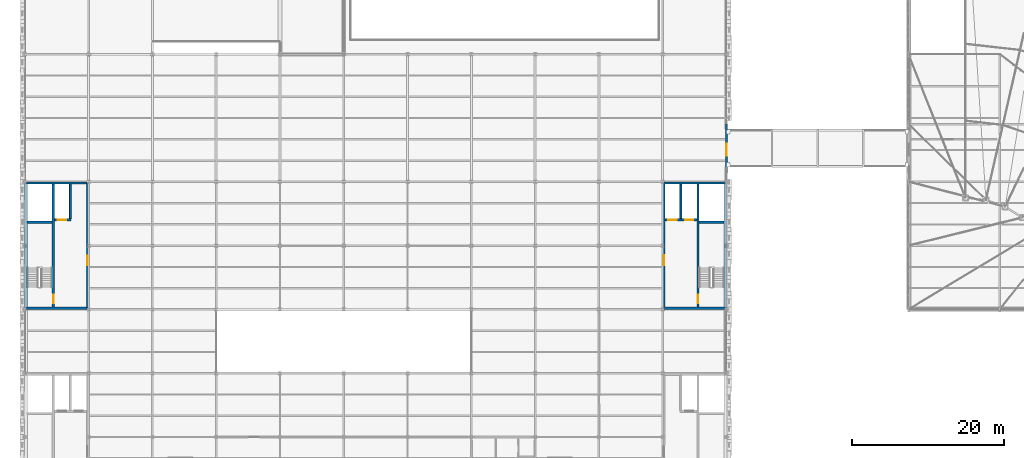
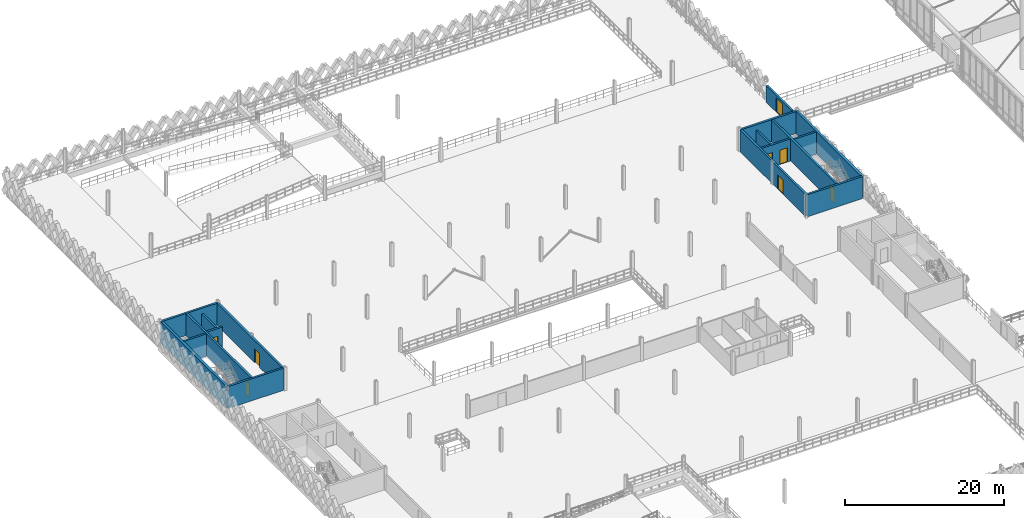
# One storey, part 87 of 101: 17 walls, 8 doors, 8 openings.
"""IFC4 building model written with IfcOpenShell, lengths in metres."""

from ifc_helpers import new_model, si_unit, direction, frame, frame_2d, origin, place, context, subcontext, project, spatial, rectangle, extrude, material, layer, layer_set, type_object, element, fill, save


model = new_model("IFC4")

# Units and contexts
model_context = context("Model", 3, precision=1e-05, world=origin(), true_north=direction((0.0, 1.0)))
body_context = subcontext(model_context, "Body", "Model", "MODEL_VIEW")
ifc_project = project(units=[si_unit("LENGTHUNIT", "METRE"), si_unit("AREAUNIT", "SQUARE_METRE"), si_unit("VOLUMEUNIT", "CUBIC_METRE"), si_unit("PLANEANGLEUNIT", "RADIAN"), si_unit("MASSUNIT", "GRAM", prefix="KILO"), si_unit("THERMODYNAMICTEMPERATUREUNIT", "KELVIN"), si_unit("POWERUNIT", "WATT")], contexts=[model_context])

# Site, building, storey
site_placement = place(None, origin())
site = spatial("IfcSite", under=ifc_project, at=site_placement, CompositionType="ELEMENT")
building_placement = place(site_placement, origin())
building = spatial("IfcBuilding", under=site, at=building_placement, Name="Tembeka Court Mobility Hub", CompositionType="ELEMENT")
storey_placement = place(building_placement, frame((0.0, 0.0, 5.39990234375)))
storey = spatial("IfcBuildingStorey", under=building, at=storey_placement, Name="L01", CompositionType="ELEMENT", Elevation=5.39990234375)

# Wall, opening, door
ifc_material_1 = material(Name="Precast concrete C45/55", Category="concrete")
ifc_layer_1 = layer(ifc_material_1, 0.280029296875)
ifc_layer_set_1 = layer_set([ifc_layer_1], Name="Precast concrete C45/55")
wall_type_1 = type_object("IfcWallType", Name="WL-EW02", PredefinedType="STANDARD", material=ifc_layer_set_1)
wall_1_placement = place(storey_placement, frame((92.39990234375, 81.60009765625, 0.0), z_axis=(0.0, 0.0, 1.0), x_axis=(0.0, 1.0, 0.0)))
wall_1 = element("IfcWall", 1, at=wall_1_placement, inside=storey, type_object=wall_type_1, Name="External wall EW02 (EW-L01-0083)", PredefinedType="STANDARD", context=body_context, shape_type="SweptSolid", body=[
    extrude(rectangle(XDim=6.39990234375, YDim=0.280029296875, at=frame_2d((3.199951171875, 0.0))), origin(), (0.0, 0.0, 1.0), 2.53515625),
])
opening_1_placement = place(wall_1_placement, frame((2.25, 0.0, 0.0)))
opening_1 = element("IfcOpeningElement", 2, at=opening_1_placement, cuts=wall_1, Name="Opening ED01", PredefinedType="OPENING", context=body_context, shape_type="SweptSolid", body=[
    extrude(rectangle(XDim=1.60009765625, YDim=2.199951171875, at=frame_2d((0.800048828125, 1.10009765625))), frame((0.0, 0.14990234375, 0.0), z_axis=(0.0, -1.0, 0.0), x_axis=(1.0, 0.0, 0.0)), (0.0, 0.0, 1.0), 0.300048828125),
])
ifc_material_2 = material(Name="Powder-coated aluminium glazed doorset", Category="aluminium")
door_type_1 = type_object("IfcDoorType", Name="DR-ED01", OperationType="NOTDEFINED", PredefinedType="DOOR", material=ifc_material_2)
door_1_placement = place(opening_1_placement, frame((1.60009765625, 0.0, 0.0), z_axis=(0.0, 0.0, 1.0), x_axis=(-1.0, 0.0, 0.0)))
door_1 = element("IfcDoor", 3, at=door_1_placement, inside=storey, type_object=door_type_1, Name="Bridge 2 West portal door ED01", OperationType="DOUBLE_DOOR_SINGLE_SWING", OverallHeight=2.199951171875, OverallWidth=1.60009765625, PredefinedType="DOOR", context=body_context, shape_type="SweptSolid", body=[
    extrude(rectangle(XDim=1.60009765625, YDim=2.199951171875, at=frame_2d((0.800048828125, 1.10009765625))), frame((0.0, 0.02490234375, 0.0), z_axis=(0.0, -1.0, 0.0), x_axis=(1.0, 0.0, 0.0)), (0.0, 0.0, 1.0), 0.050048828125),
])
fill(opening_1, door_1)

# Walls
ifc_material_3 = material(Name="Concrete C40/50", Category="concrete")
ifc_layer_2 = layer(ifc_material_3, 0.25)
ifc_layer_set_2 = layer_set([ifc_layer_2], Name="Concrete C40/50")
wall_type_2 = type_object("IfcWallType", Name="WL-IW01", PredefinedType="PARTITIONING", material=ifc_layer_set_2)
for number, where, z_axis, x_axis, name in (
    (4, (86.39990234375, 75.550048828125, 0.0), (0.0, 0.0, 1.0), (0.0, 1.0, 0.0), "Wall IW01 (IW-L01-0088)"),
    (5, (6.0, 75.550048828125, 0.0), (0.0, 0.0, 1.0), (0.0, 1.0, 0.0), "Wall IW01 (IW-L01-0152)"),
):
    element("IfcWall", number, at=place(storey_placement, frame(where, z_axis=z_axis, x_axis=x_axis)), inside=storey, type_object=wall_type_2, Name=name, PredefinedType="PARTITIONING", context=body_context, shape_type="SweptSolid", body=[
        extrude(rectangle(XDim=4.550048828125, YDim=0.25, at=frame_2d((2.27490234375, 0.0))), origin(), (0.0, 0.0, 1.0), 2.525146484375),
    ])
ifc_layer_3 = layer(ifc_material_3, 0.300048828125)
ifc_layer_set_3 = layer_set([ifc_layer_3], Name="Concrete C40/50")
wall_type_3 = type_object("IfcWallType", Name="WL-SW01", PredefinedType="SHEAR", material=ifc_layer_set_3)
for number, where, z_axis, x_axis, name in (
    (6, (84.195556640625, 63.75, 0.0), (0.0, 0.0, 1.0), (1.0, 0.0, 0.0), "Wall SW01 (IW-L01-0081)"),
    (7, (84.195556640625, 80.25, 0.0), (0.0, 0.0, 1.0), (1.0, 0.0, 0.0), "Wall SW01 (IW-L01-0082)"),
):
    element("IfcWall", number, at=place(storey_placement, frame(where, z_axis=z_axis, x_axis=x_axis)), inside=storey, type_object=wall_type_3, Name=name, PredefinedType="SHEAR", context=body_context, shape_type="SweptSolid", body=[
        extrude(rectangle(XDim=8.009033203125, YDim=0.300048828125, at=frame_2d((4.00439453125, 0.0))), origin(), (0.0, 0.0, 1.0), 3.380126953125),
    ])
wall_2_placement = place(storey_placement, frame((88.800048828125, 75.10009765625, 0.0), z_axis=(0.0, 0.0, 1.0), x_axis=(1.0, 0.0, 0.0)))
element("IfcWall", 8, at=wall_2_placement, inside=storey, type_object=wall_type_3, Name="Wall SW01 (IW-L01-0083)", PredefinedType="SHEAR", context=body_context, shape_type="SweptSolid", body=[
    extrude(rectangle(XDim=3.300048828125, YDim=0.300048828125, at=frame_2d((1.64990234375, 0.0))), origin(), (0.0, 0.0, 1.0), 3.380126953125),
])

# Wall, opening, door
wall_3_placement = place(storey_placement, frame((84.14990234375, 63.78857421875, 0.0), z_axis=(0.0, 0.0, 1.0), x_axis=(0.0, 1.0, 0.0)))
wall_3 = element("IfcWall", 9, at=wall_3_placement, inside=storey, type_object=wall_type_3, Name="Wall SW01 (IW-L01-0085)", PredefinedType="SHEAR", context=body_context, shape_type="SweptSolid", body=[
    extrude(rectangle(XDim=16.4228515625, YDim=0.300048828125, at=frame_2d((8.21142578125, 0.0))), origin(), (0.0, 0.0, 1.0), 3.380126953125),
])
opening_2_placement = place(wall_3_placement, frame((5.66162109375, 0.0, 0.0)))
opening_2 = element("IfcOpeningElement", 10, at=opening_2_placement, cuts=wall_3, Name="Opening FD02", PredefinedType="OPENING", context=body_context, shape_type="SweptSolid", body=[
    extrude(rectangle(XDim=1.300048828125, YDim=2.199951171875, at=frame_2d((0.64990234375, 1.10009765625))), frame((0.0, 0.16015625, 0.0), z_axis=(0.0, -1.0, 0.0), x_axis=(1.0, 0.0, 0.0)), (0.0, 0.0, 1.0), 0.320068359375),
])
ifc_material_4 = material(Name="Galvanised steel fire/shutter doorset", Category="steel")
door_type_2 = type_object("IfcDoorType", Name="DR-FD02", OperationType="NOTDEFINED", PredefinedType="DOOR", material=ifc_material_4)
door_2_placement = place(opening_2_placement, origin())
door_2 = element("IfcDoor", 11, at=door_2_placement, inside=storey, type_object=door_type_2, Name="Door FD02-0043", OperationType="SINGLE_SWING_RIGHT", OverallHeight=2.199951171875, OverallWidth=1.300048828125, PredefinedType="DOOR", context=body_context, shape_type="SweptSolid", body=[
    extrude(rectangle(XDim=1.300048828125, YDim=2.199951171875, at=frame_2d((0.64990234375, 1.10009765625))), frame((0.0, 0.02490234375, 0.0), z_axis=(0.0, -1.0, 0.0), x_axis=(1.0, 0.0, 0.0)), (0.0, 0.0, 1.0), 0.050048828125),
])
fill(opening_2, door_2)

wall_4_placement = place(storey_placement, frame((88.64990234375, 63.89990234375, 0.0), z_axis=(0.0, 0.0, 1.0), x_axis=(0.0, 1.0, 0.0)))
wall_4 = element("IfcWall", 12, at=wall_4_placement, inside=storey, type_object=wall_type_3, Name="Wall SW01 (IW-L01-0086)", PredefinedType="SHEAR", context=body_context, shape_type="SweptSolid", body=[
    extrude(rectangle(XDim=16.2001953125, YDim=0.300048828125, at=frame_2d((8.10009765625, 0.0))), origin(), (0.0, 0.0, 1.0), 3.380126953125),
])
opening_3_placement = place(wall_4_placement, frame((0.5, 0.0, 0.0)))
opening_3 = element("IfcOpeningElement", 13, at=opening_3_placement, cuts=wall_4, Name="Opening FD03", PredefinedType="OPENING", context=body_context, shape_type="SweptSolid", body=[
    extrude(rectangle(XDim=1.14990234375, YDim=2.14990234375, at=frame_2d((0.574951171875, 1.074951171875))), frame((0.0, 0.16015625, 0.0), z_axis=(0.0, -1.0, 0.0), x_axis=(1.0, 0.0, 0.0)), (0.0, 0.0, 1.0), 0.320068359375),
])
door_type_3 = type_object("IfcDoorType", Name="DR-FD03", OperationType="NOTDEFINED", PredefinedType="DOOR", material=ifc_material_4)
door_3_placement = place(opening_3_placement, origin())
door_3 = element("IfcDoor", 14, at=door_3_placement, inside=storey, type_object=door_type_3, Name="Door FD03-0044", OperationType="SINGLE_SWING_RIGHT", OverallHeight=2.14990234375, OverallWidth=1.14990234375, PredefinedType="DOOR", context=body_context, shape_type="SweptSolid", body=[
    extrude(rectangle(XDim=1.14990234375, YDim=2.14990234375, at=frame_2d((0.574951171875, 1.074951171875))), frame((0.0, 0.02490234375, 0.0), z_axis=(0.0, -1.0, 0.0), x_axis=(1.0, 0.0, 0.0)), (0.0, 0.0, 1.0), 0.050048828125),
])
fill(opening_3, door_3)

# Wall, openings, doors
wall_5_placement = place(storey_placement, frame((84.300048828125, 75.39990234375, 0.0), z_axis=(0.0, 0.0, 1.0), x_axis=(1.0, 0.0, 0.0)))
wall_5 = element("IfcWall", 15, at=wall_5_placement, inside=storey, type_object=wall_type_3, Name="Wall SW01 (IW-L01-0087)", PredefinedType="SHEAR", context=body_context, shape_type="SweptSolid", body=[
    extrude(rectangle(XDim=4.199951171875, YDim=0.300048828125, at=frame_2d((2.10009765625, 0.0))), origin(), (0.0, 0.0, 1.0), 3.380126953125),
])
opening_4_placement = place(wall_5_placement, frame((0.449951171875, 0.0, 0.0)))
opening_4 = element("IfcOpeningElement", 16, at=opening_4_placement, cuts=wall_5, Name="Opening LD01", PredefinedType="OPENING", context=body_context, shape_type="SweptSolid", body=[
    extrude(rectangle(XDim=1.10009765625, YDim=2.199951171875, at=frame_2d((0.550048828125, 1.10009765625))), frame((0.0, 0.16015625, 0.0), z_axis=(0.0, -1.0, 0.0), x_axis=(1.0, 0.0, 0.0)), (0.0, 0.0, 1.0), 0.320068359375),
])
opening_5_placement = place(wall_5_placement, frame((2.64990234375, 0.0, 0.0)))
opening_5 = element("IfcOpeningElement", 17, at=opening_5_placement, cuts=wall_5, Name="Opening LD01", PredefinedType="OPENING", context=body_context, shape_type="SweptSolid", body=[
    extrude(rectangle(XDim=1.10009765625, YDim=2.199951171875, at=frame_2d((0.550048828125, 1.10009765625))), frame((0.0, 0.16015625, 0.0), z_axis=(0.0, -1.0, 0.0), x_axis=(1.0, 0.0, 0.0)), (0.0, 0.0, 1.0), 0.320068359375),
])
door_type_4 = type_object("IfcDoorType", Name="DR-LD01", OperationType="SLIDING_TO_LEFT", PredefinedType="DOOR", material=ifc_material_4)
door_4_placement = place(opening_4_placement, origin())
door_4 = element("IfcDoor", 18, at=door_4_placement, inside=storey, type_object=door_type_4, Name="Lift LF02 landing door L01", OperationType="SLIDING_TO_LEFT", OverallHeight=2.199951171875, OverallWidth=1.10009765625, PredefinedType="DOOR", context=body_context, shape_type="SweptSolid", body=[
    extrude(rectangle(XDim=1.10009765625, YDim=2.199951171875, at=frame_2d((0.550048828125, 1.10009765625))), frame((0.0, 0.02490234375, 0.0), z_axis=(0.0, -1.0, 0.0), x_axis=(1.0, 0.0, 0.0)), (0.0, 0.0, 1.0), 0.050048828125),
])
fill(opening_4, door_4)
door_5_placement = place(opening_5_placement, origin())
door_5 = element("IfcDoor", 19, at=door_5_placement, inside=storey, type_object=door_type_4, Name="Lift LF04 landing door L01", OperationType="SLIDING_TO_LEFT", OverallHeight=2.199951171875, OverallWidth=1.10009765625, PredefinedType="DOOR", context=body_context, shape_type="SweptSolid", body=[
    extrude(rectangle(XDim=1.10009765625, YDim=2.199951171875, at=frame_2d((0.550048828125, 1.10009765625))), frame((0.0, 0.02490234375, 0.0), z_axis=(0.0, -1.0, 0.0), x_axis=(1.0, 0.0, 0.0)), (0.0, 0.0, 1.0), 0.050048828125),
])
fill(opening_5, door_5)

# Walls
for number, where, z_axis, x_axis, name in (
    (20, (0.1845703125, 63.75, 0.0), (0.0, 0.0, 1.0), (1.0, 0.0, 0.0), "Wall SW01 (IW-L01-0145)"),
    (21, (0.1845703125, 80.25, 0.0), (0.0, 0.0, 1.0), (1.0, 0.0, 0.0), "Wall SW01 (IW-L01-0146)"),
):
    element("IfcWall", number, at=place(storey_placement, frame(where, z_axis=z_axis, x_axis=x_axis)), inside=storey, type_object=wall_type_3, Name=name, PredefinedType="SHEAR", context=body_context, shape_type="SweptSolid", body=[
        extrude(rectangle(XDim=8.031005859375, YDim=0.300048828125, at=frame_2d((4.015625, 0.0))), origin(), (0.0, 0.0, 1.0), 3.380126953125),
    ])
wall_6_placement = place(storey_placement, frame((0.300048828125, 75.10009765625, 0.0), z_axis=(0.0, 0.0, 1.0), x_axis=(1.0, 0.0, 0.0)))
element("IfcWall", 22, at=wall_6_placement, inside=storey, type_object=wall_type_3, Name="Wall SW01 (IW-L01-0147)", PredefinedType="SHEAR", context=body_context, shape_type="SweptSolid", body=[
    extrude(rectangle(XDim=3.300048828125, YDim=0.300048828125, at=frame_2d((1.64990234375, 0.0))), origin(), (0.0, 0.0, 1.0), 3.380126953125),
])

# Wall, opening, door
wall_7_placement = place(storey_placement, frame((8.25, 63.781982421875, 0.0), z_axis=(0.0, 0.0, 1.0), x_axis=(0.0, 1.0, 0.0)))
wall_7 = element("IfcWall", 23, at=wall_7_placement, inside=storey, type_object=wall_type_3, Name="Wall SW01 (IW-L01-0149)", PredefinedType="SHEAR", context=body_context, shape_type="SweptSolid", body=[
    extrude(rectangle(XDim=16.43603515625, YDim=0.300048828125, at=frame_2d((8.218017578125, 0.0))), origin(), (0.0, 0.0, 1.0), 3.380126953125),
])
opening_6_placement = place(wall_7_placement, frame((5.66796875, 0.0, 0.0)))
opening_6 = element("IfcOpeningElement", 24, at=opening_6_placement, cuts=wall_7, Name="Opening FD01", PredefinedType="OPENING", context=body_context, shape_type="SweptSolid", body=[
    extrude(rectangle(XDim=1.25, YDim=2.14990234375, at=frame_2d((0.625, 1.074951171875))), frame((0.0, 0.16015625, 0.0), z_axis=(0.0, -1.0, 0.0), x_axis=(1.0, 0.0, 0.0)), (0.0, 0.0, 1.0), 0.320068359375),
])
door_type_5 = type_object("IfcDoorType", Name="DR-FD01", OperationType="NOTDEFINED", PredefinedType="DOOR", material=ifc_material_4)
door_6_placement = place(opening_6_placement, origin())
door_6 = element("IfcDoor", 25, at=door_6_placement, inside=storey, type_object=door_type_5, Name="Door FD01-0074", OperationType="SINGLE_SWING_RIGHT", OverallHeight=2.14990234375, OverallWidth=1.25, PredefinedType="DOOR", context=body_context, shape_type="SweptSolid", body=[
    extrude(rectangle(XDim=1.25, YDim=2.14990234375, at=frame_2d((0.625, 1.074951171875))), frame((0.0, 0.02490234375, 0.0), z_axis=(0.0, -1.0, 0.0), x_axis=(1.0, 0.0, 0.0)), (0.0, 0.0, 1.0), 0.050048828125),
])
fill(opening_6, door_6)

wall_8_placement = place(storey_placement, frame((3.75, 63.89990234375, 0.0), z_axis=(0.0, 0.0, 1.0), x_axis=(0.0, 1.0, 0.0)))
wall_8 = element("IfcWall", 26, at=wall_8_placement, inside=storey, type_object=wall_type_3, Name="Wall SW01 (IW-L01-0150)", PredefinedType="SHEAR", context=body_context, shape_type="SweptSolid", body=[
    extrude(rectangle(XDim=16.2001953125, YDim=0.300048828125, at=frame_2d((8.10009765625, 0.0))), origin(), (0.0, 0.0, 1.0), 3.380126953125),
])
opening_7_placement = place(wall_8_placement, frame((0.5, 0.0, 0.0)))
opening_7 = element("IfcOpeningElement", 27, at=opening_7_placement, cuts=wall_8, Name="Opening FD03", PredefinedType="OPENING", context=body_context, shape_type="SweptSolid", body=[
    extrude(rectangle(XDim=1.14990234375, YDim=2.14990234375, at=frame_2d((0.574951171875, 1.074951171875))), frame((0.0, 0.16015625, 0.0), z_axis=(0.0, -1.0, 0.0), x_axis=(1.0, 0.0, 0.0)), (0.0, 0.0, 1.0), 0.320068359375),
])
door_7_placement = place(opening_7_placement, frame((1.14990234375, 0.0, 0.0), z_axis=(0.0, 0.0, 1.0), x_axis=(-1.0, 0.0, 0.0)))
door_7 = element("IfcDoor", 28, at=door_7_placement, inside=storey, type_object=door_type_3, Name="Door FD03-0075", OperationType="SINGLE_SWING_LEFT", OverallHeight=2.14990234375, OverallWidth=1.14990234375, PredefinedType="DOOR", context=body_context, shape_type="SweptSolid", body=[
    extrude(rectangle(XDim=1.14990234375, YDim=2.14990234375, at=frame_2d((0.574951171875, 1.074951171875))), frame((0.0, 0.02490234375, 0.0), z_axis=(0.0, -1.0, 0.0), x_axis=(1.0, 0.0, 0.0)), (0.0, 0.0, 1.0), 0.050048828125),
])
fill(opening_7, door_7)

wall_9_placement = place(storey_placement, frame((3.89990234375, 75.39990234375, 0.0), z_axis=(0.0, 0.0, 1.0), x_axis=(1.0, 0.0, 0.0)))
wall_9 = element("IfcWall", 29, at=wall_9_placement, inside=storey, type_object=wall_type_3, Name="Wall SW01 (IW-L01-0151)", PredefinedType="SHEAR", context=body_context, shape_type="SweptSolid", body=[
    extrude(rectangle(XDim=2.2001953125, YDim=0.300048828125, at=frame_2d((1.10009765625, 0.0))), origin(), (0.0, 0.0, 1.0), 3.380126953125),
])
opening_8_placement = place(wall_9_placement, frame((0.449951171875, 0.0, 0.0)))
opening_8 = element("IfcOpeningElement", 30, at=opening_8_placement, cuts=wall_9, Name="Opening LD01", PredefinedType="OPENING", context=body_context, shape_type="SweptSolid", body=[
    extrude(rectangle(XDim=1.10009765625, YDim=2.199951171875, at=frame_2d((0.550048828125, 1.10009765625))), frame((0.0, 0.16015625, 0.0), z_axis=(0.0, -1.0, 0.0), x_axis=(1.0, 0.0, 0.0)), (0.0, 0.0, 1.0), 0.320068359375),
])
door_8_placement = place(opening_8_placement, origin())
door_8 = element("IfcDoor", 31, at=door_8_placement, inside=storey, type_object=door_type_4, Name="Lift LF05 landing door L01", OperationType="SLIDING_TO_LEFT", OverallHeight=2.199951171875, OverallWidth=1.10009765625, PredefinedType="DOOR", context=body_context, shape_type="SweptSolid", body=[
    extrude(rectangle(XDim=1.10009765625, YDim=2.199951171875, at=frame_2d((0.550048828125, 1.10009765625))), frame((0.0, 0.02490234375, 0.0), z_axis=(0.0, -1.0, 0.0), x_axis=(1.0, 0.0, 0.0)), (0.0, 0.0, 1.0), 0.050048828125),
])
fill(opening_8, door_8)

# Walls
ifc_layer_4 = layer(ifc_material_3, 0.35009765625)
ifc_layer_set_4 = layer_set([ifc_layer_4], Name="Concrete C40/50")
wall_type_4 = type_object("IfcWallType", Name="WL-SW02", PredefinedType="SHEAR", material=ifc_layer_set_4)
wall_10_placement = place(storey_placement, frame((92.25, 63.78857421875, 0.0), z_axis=(0.0, 0.0, 1.0), x_axis=(0.0, 1.0, 0.0)))
element("IfcWall", 32, at=wall_10_placement, inside=storey, type_object=wall_type_4, Name="Wall SW02 (IW-L01-0084)", PredefinedType="SHEAR", context=body_context, shape_type="SweptSolid", body=[
    extrude(rectangle(XDim=16.4228515625, YDim=0.35009765625, at=frame_2d((8.21142578125, 0.0))), origin(), (0.0, 0.0, 1.0), 3.380126953125),
])
wall_11_placement = place(storey_placement, frame((0.14990234375, 63.781982421875, 0.0), z_axis=(0.0, 0.0, 1.0), x_axis=(0.0, 1.0, 0.0)))
element("IfcWall", 33, at=wall_11_placement, inside=storey, type_object=wall_type_4, Name="Wall SW02 (IW-L01-0148)", PredefinedType="SHEAR", context=body_context, shape_type="SweptSolid", body=[
    extrude(rectangle(XDim=16.43603515625, YDim=0.35009765625, at=frame_2d((8.218017578125, 0.0))), origin(), (0.0, 0.0, 1.0), 3.380126953125),
])

save(model, "model.ifc")
